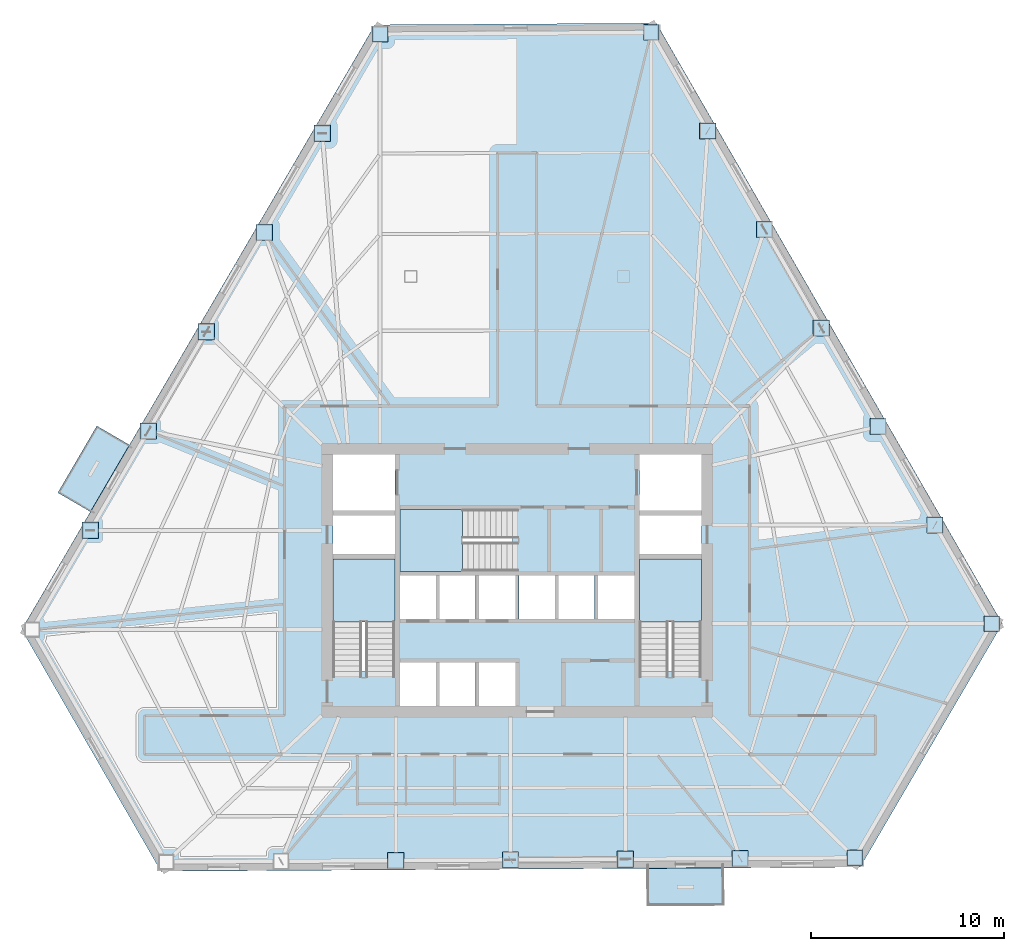
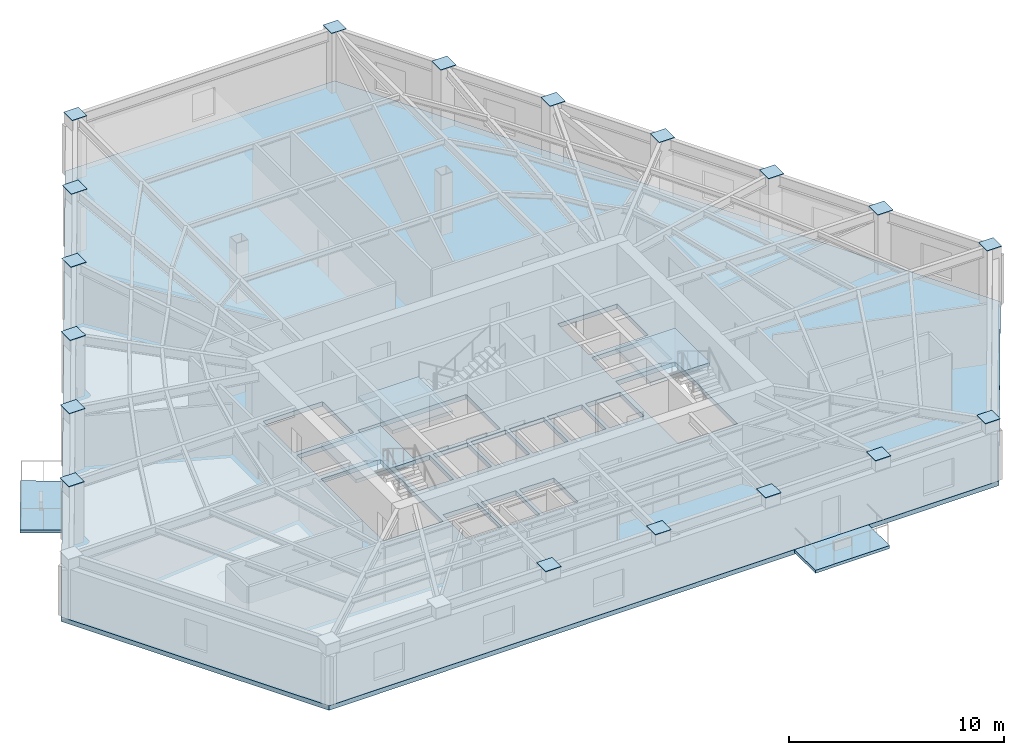
# One storey, part 3 of 14: 18 plates, 6 slabs, 3 elements without a shape of their own.
"""IFC4 building model written with IfcOpenShell, lengths in metres."""

from ifc_helpers import new_model, si_unit, direction, frame, origin, origin_2d, place, context, subcontext, project, spatial, polyline, rectangle, outline, extrude, material, layer, layer_set, type_object, element, aggregate, save


model = new_model("IFC4")

# Units and contexts
model_context = context("Model", 3, precision=1e-05, world=origin(), true_north=direction((0.0, 1.0)))
body_context = subcontext(model_context, "Body", "Model", "MODEL_VIEW")
ifc_project = project(units=[si_unit("LENGTHUNIT", "METRE"), si_unit("AREAUNIT", "SQUARE_METRE"), si_unit("VOLUMEUNIT", "CUBIC_METRE"), si_unit("PLANEANGLEUNIT", "RADIAN"), si_unit("MASSUNIT", "GRAM", prefix="KILO")], contexts=[model_context])

# Site, building, storey
site_placement = place(None, origin())
site = spatial("IfcSite", under=ifc_project, at=site_placement, CompositionType="ELEMENT")
building_placement = place(site_placement, origin())
building = spatial("IfcBuilding", under=site, at=building_placement, Name="Kavelnor Concourse Tower", CompositionType="ELEMENT")
storey_placement = place(building_placement, frame((0.0, 0.0, 71.449951171875)))
storey = spatial("IfcBuildingStorey", under=building, at=storey_placement, Name="L18", CompositionType="ELEMENT", Elevation=71.449951171875)

# Plates
ifc_material_1 = material(Name="Steel Grade 350", Category="steel")
ifc_layer_1 = layer(ifc_material_1, 0.02490234375, Name="Steel Grade 350")
ifc_layer_set_1 = layer_set([ifc_layer_1], Name="Steel Grade 350")
plate_type = type_object("IfcPlateType", Name="PL-SPLICE-FLANGE", PredefinedType="SHEET", material=ifc_layer_set_1)
plate_1_placement = place(storey_placement, frame((30.926513671875, 44.32763671875, 3.427001953125), z_axis=(0.0, 0.0, 1.0), x_axis=(1.0, 0.0, 0.0)))
element("IfcPlate", 1, at=plate_1_placement, inside=storey, type_object=plate_type, Name="L18 Column Top Cap Plate F0-B0", PredefinedType="SHEET", context=body_context, shape_type="SweptSolid", body=[
    extrude(rectangle(XDim=0.800048828125, YDim=0.800048828125, at=origin_2d()), origin(), (0.0, 0.0, 1.0), 0.02490234375),
])
for number, where, z_axis, x_axis, name in (
    (2, (27.93017578125, 39.1982421875, 3.427001953125), (0.0, 0.0, 1.0), (1.0, 0.0, 0.0), "L18 Column Top Cap Plate F0-B1"),
    (3, (24.93359375, 34.069091796875, 3.427001953125), (0.0, 0.0, 1.0), (1.0, 0.0, 0.0), "L18 Column Top Cap Plate F0-B2"),
    (4, (21.93701171875, 28.939697265625, 3.427001953125), (0.0, 0.0, 1.0), (1.0, 0.0, 0.0), "L18 Column Top Cap Plate F0-B3"),
    (5, (18.940673828125, 23.810546875, 3.427001953125), (0.0, 0.0, 1.0), (1.0, 0.0, 0.0), "L18 Column Top Cap Plate F0-B4"),
    (6, (15.944091796875, 18.681396484375, 3.427001953125), (0.0, 0.0, 1.0), (1.0, 0.0, 0.0), "L18 Column Top Cap Plate F0-B5"),
    (7, (31.731689453125, 1.611328125, 3.427001953125), (0.0, 0.0, 1.0), (1.0, 0.0, 0.0), "L18 Column Top Cap Plate F1-B2"),
    (8, (37.6630859375, 1.646728515625, 3.427001953125), (0.0, 0.0, 1.0), (1.0, 0.0, 0.0), "L18 Column Top Cap Plate F1-B3"),
    (9, (43.594482421875, 1.68212890625, 3.427001953125), (0.0, 0.0, 1.0), (1.0, 0.0, 0.0), "L18 Column Top Cap Plate F1-B4"),
    (10, (49.52587890625, 1.717529296875, 3.427001953125), (0.0, 0.0, 1.0), (1.0, 0.0, 0.0), "L18 Column Top Cap Plate F1-B5"),
):
    element("IfcPlate", number, at=place(storey_placement, frame(where, z_axis=z_axis, x_axis=x_axis)), inside=storey, type_object=plate_type, Name=name, PredefinedType="SHEET", context=body_context, shape_type="SweptSolid", body=[
        extrude(rectangle(XDim=0.840087890625, YDim=0.840087890625, at=origin_2d()), origin(), (0.0, 0.0, 1.0), 0.02490234375),
    ])
for number, where, z_axis, x_axis, name in (
    (11, (55.457275390625, 1.7529296875, 3.427001953125), (0.0, 0.0, 1.0), (1.0, 0.0, 0.0), "L18 Column Top Cap Plate F1-B6"),
    (12, (62.52880859375, 13.857666015625, 3.427001953125), (0.0, 0.0, 1.0), (1.0, 0.0, 0.0), "L18 Column Top Cap Plate F2-B0"),
):
    element("IfcPlate", number, at=place(storey_placement, frame(where, z_axis=z_axis, x_axis=x_axis)), inside=storey, type_object=plate_type, Name=name, PredefinedType="SHEET", context=body_context, shape_type="SweptSolid", body=[
        extrude(rectangle(XDim=0.800048828125, YDim=0.800048828125, at=origin_2d()), origin(), (0.0, 0.0, 1.0), 0.02490234375),
    ])
for number, where, z_axis, x_axis, name in (
    (13, (59.594482421875, 18.94970703125, 3.427001953125), (0.0, 0.0, 1.0), (1.0, 0.0, 0.0), "L18 Column Top Cap Plate F2-B1"),
    (14, (56.660400390625, 24.0419921875, 3.427001953125), (0.0, 0.0, 1.0), (1.0, 0.0, 0.0), "L18 Column Top Cap Plate F2-B2"),
    (15, (53.72607421875, 29.13427734375, 3.427001953125), (0.0, 0.0, 1.0), (1.0, 0.0, 0.0), "L18 Column Top Cap Plate F2-B3"),
    (16, (50.791748046875, 34.2265625, 3.427001953125), (0.0, 0.0, 1.0), (1.0, 0.0, 0.0), "L18 Column Top Cap Plate F2-B4"),
    (17, (47.857421875, 39.31884765625, 3.427001953125), (0.0, 0.0, 1.0), (1.0, 0.0, 0.0), "L18 Column Top Cap Plate F2-B5"),
):
    element("IfcPlate", number, at=place(storey_placement, frame(where, z_axis=z_axis, x_axis=x_axis)), inside=storey, type_object=plate_type, Name=name, PredefinedType="SHEET", context=body_context, shape_type="SweptSolid", body=[
        extrude(rectangle(XDim=0.840087890625, YDim=0.840087890625, at=origin_2d()), origin(), (0.0, 0.0, 1.0), 0.02490234375),
    ])
plate_2_placement = place(storey_placement, frame((44.92333984375, 44.4111328125, 3.427001953125), z_axis=(0.0, 0.0, 1.0), x_axis=(1.0, 0.0, 0.0)))
element("IfcPlate", 18, at=plate_2_placement, inside=storey, type_object=plate_type, Name="L18 Column Top Cap Plate F2-B6", PredefinedType="SHEET", context=body_context, shape_type="SweptSolid", body=[
    extrude(rectangle(XDim=0.800048828125, YDim=0.800048828125, at=origin_2d()), origin(), (0.0, 0.0, 1.0), 0.02490234375),
])

# Slabs
ifc_material_2 = material(Name="Concrete C40/50", Category="concrete")
ifc_layer_2 = layer(ifc_material_2, 0.169921875, Name="Concrete C40/50")
ifc_layer_set_2 = layer_set([ifc_layer_2], Name="Concrete C40/50")
slab_type_1 = type_object("IfcSlabType", Name="SLB-BALCONY-170", PredefinedType="FLOOR", material=ifc_layer_set_2)
slab_1_placement = place(storey_placement, frame((0.0, 0.0, -0.169921875)))
element("IfcSlab", 19, at=slab_1_placement, inside=storey, type_object=slab_type_1, Name="L18 Cantilevered Tree Balcony Slab 1", PredefinedType="FLOOR", context=body_context, shape_type="SweptSolid", body=[
    extrude(outline(polyline([(14.264404296875, 20.62353515625), (16.2822265625, 24.077392578125), (17.966064453125, 23.09375), (15.9482421875, 19.639892578125), (14.264404296875, 20.62353515625)])), origin(), (0.0, 0.0, 1.0), 0.169921875),
])
slab_2_placement = place(storey_placement, frame((0.0, 0.0, -0.169921875)))
element("IfcSlab", 20, at=slab_2_placement, inside=storey, type_object=slab_type_1, Name="L18 Cantilevered Tree Balcony Slab 2", PredefinedType="FLOOR", context=body_context, shape_type="SweptSolid", body=[
    extrude(outline(polyline([(48.710205078125, -0.71728515625), (44.710205078125, -0.7412109375), (44.698486328125, 1.208740234375), (48.698486328125, 1.232421875), (48.710205078125, -0.71728515625)])), origin(), (0.0, 0.0, 1.0), 0.169921875),
])

# Stair, slab
stair_type = type_object("IfcStairType", Name="STR-CORE-1500", PredefinedType="HALF_TURN_STAIR", material=ifc_material_2)
stair_1_placement = place(storey_placement, origin())
stair_1 = element("IfcStair", 21, at=stair_1_placement, inside=storey, type_object=stair_type, Name="L18 ST1", PredefinedType="HALF_TURN_STAIR")
ifc_layer_3 = layer(ifc_material_2, 0.199951171875, Name="Concrete C40/50")
ifc_layer_set_3 = layer_set([ifc_layer_3], Name="Concrete C40/50")
slab_type_2 = type_object("IfcSlabType", Name="SLB-LANDING-200", PredefinedType="LANDING", material=ifc_layer_set_3)
slab_3_placement = place(storey_placement, frame((0.0, 0.0, 1.72509765625)))
slab_3 = element("IfcSlab", 22, at=slab_3_placement, type_object=slab_type_2, Name="ST1 landing 1", PredefinedType="LANDING", context=body_context, shape_type="SweptSolid", body=[
    extrude(outline(polyline([(31.679931640625, 13.949951171875), (31.679931640625, 17.199951171875), (28.47998046875, 17.199951171875), (28.47998046875, 13.949951171875), (31.679931640625, 13.949951171875)])), origin(), (0.0, 0.0, 1.0), 0.199951171875),
])
aggregate(stair_1, [slab_3])

stair_2_placement = place(storey_placement, origin())
stair_2 = element("IfcStair", 23, at=stair_2_placement, inside=storey, type_object=stair_type, Name="L18 ST2", PredefinedType="HALF_TURN_STAIR")
slab_4_placement = place(storey_placement, frame((0.0, 0.0, 1.72509765625)))
slab_4 = element("IfcSlab", 24, at=slab_4_placement, type_object=slab_type_2, Name="ST2 landing 1", PredefinedType="LANDING", context=body_context, shape_type="SweptSolid", body=[
    extrude(outline(polyline([(47.52001953125, 13.949951171875), (47.52001953125, 17.199951171875), (44.320068359375, 17.199951171875), (44.320068359375, 13.949951171875), (47.52001953125, 13.949951171875)])), origin(), (0.0, 0.0, 1.0), 0.199951171875),
])
aggregate(stair_2, [slab_4])

stair_3_placement = place(storey_placement, origin())
stair_3 = element("IfcStair", 25, at=stair_3_placement, inside=storey, type_object=stair_type, Name="L18 ST3", PredefinedType="HALF_TURN_STAIR")
slab_5_placement = place(storey_placement, frame((0.0, 0.0, 1.72509765625)))
slab_5 = element("IfcSlab", 26, at=slab_5_placement, type_object=slab_type_2, Name="ST3 landing 1", PredefinedType="LANDING", context=body_context, shape_type="SweptSolid", body=[
    extrude(outline(polyline([(35.18994140625, 19.760009765625), (31.93994140625, 19.760009765625), (31.93994140625, 16.56005859375), (35.18994140625, 16.56005859375), (35.18994140625, 19.760009765625)])), origin(), (0.0, 0.0, 1.0), 0.199951171875),
])
aggregate(stair_3, [slab_5])

# Slab
ifc_layer_4 = layer(ifc_material_2, 0.260009765625, Name="Concrete C40/50")
ifc_layer_set_4 = layer_set([ifc_layer_4], Name="Concrete C40/50")
slab_type_3 = type_object("IfcSlabType", Name="SLB-OFFICE-260", PredefinedType="FLOOR", material=ifc_layer_set_4)
slab_6_placement = place(storey_placement, frame((0.0, 0.0, -0.260009765625)))
element("IfcSlab", 27, at=slab_6_placement, inside=storey, type_object=slab_type_3, Name="L18 Composite Structural Floor Slab", PredefinedType="FLOOR", context=body_context, shape_type="SweptSolid", body=[
    extrude(outline(polyline([(45.19970703125, 44.892822265625), (30.650146484375, 44.805908203125), (12.392822265625, 13.5537109375), (19.592529296875, 1.05908203125), (55.73388671875, 1.2744140625), (63.083740234375, 13.85595703125), (45.19970703125, 44.892822265625)]), holes=[polyline([(28.47998046875, 11.3798828125), (31.679931640625, 11.3798828125), (31.679931640625, 17.199951171875), (28.47998046875, 17.199951171875), (28.47998046875, 11.3798828125)]), polyline([(44.320068359375, 11.3798828125), (47.52001953125, 11.3798828125), (47.52001953125, 17.199951171875), (44.320068359375, 17.199951171875), (44.320068359375, 11.3798828125)]), polyline([(31.93994140625, 16.56005859375), (37.760009765625, 16.56005859375), (37.760009765625, 19.760009765625), (31.93994140625, 19.760009765625), (31.93994140625, 16.56005859375)]), polyline([(28.47998046875, 19.699951171875), (31.679931640625, 19.699951171875), (31.679931640625, 22.60009765625), (28.47998046875, 22.60009765625), (28.47998046875, 19.699951171875)]), polyline([(44.320068359375, 19.699951171875), (47.52001953125, 19.699951171875), (47.52001953125, 22.60009765625), (44.320068359375, 22.60009765625), (44.320068359375, 19.699951171875)]), polyline([(31.93994140625, 14.10009765625), (33.81005859375, 14.10009765625), (33.81005859375, 16.340087890625), (31.93994140625, 16.340087890625), (31.93994140625, 14.10009765625)]), polyline([(33.989990234375, 14.10009765625), (35.860107421875, 14.10009765625), (35.860107421875, 16.340087890625), (33.989990234375, 16.340087890625), (33.989990234375, 14.10009765625)]), polyline([(36.0400390625, 14.10009765625), (37.909912109375, 14.10009765625), (37.909912109375, 16.340087890625), (36.0400390625, 16.340087890625), (36.0400390625, 14.10009765625)]), polyline([(38.090087890625, 14.10009765625), (39.9599609375, 14.10009765625), (39.9599609375, 16.340087890625), (38.090087890625, 16.340087890625), (38.090087890625, 14.10009765625)]), polyline([(40.139892578125, 14.10009765625), (42.010009765625, 14.10009765625), (42.010009765625, 16.340087890625), (40.139892578125, 16.340087890625), (40.139892578125, 14.10009765625)]), polyline([(42.18994140625, 14.10009765625), (44.06005859375, 14.10009765625), (44.06005859375, 16.340087890625), (42.18994140625, 16.340087890625), (42.18994140625, 14.10009765625)]), polyline([(31.93994140625, 9.60009765625), (33.81005859375, 9.60009765625), (33.81005859375, 11.840087890625), (31.93994140625, 11.840087890625), (31.93994140625, 9.60009765625)]), polyline([(33.989990234375, 9.60009765625), (35.860107421875, 9.60009765625), (35.860107421875, 11.840087890625), (33.989990234375, 11.840087890625), (33.989990234375, 9.60009765625)]), polyline([(36.0400390625, 9.60009765625), (37.909912109375, 9.60009765625), (37.909912109375, 11.840087890625), (36.0400390625, 11.840087890625), (36.0400390625, 9.60009765625)]), polyline([(28.47998046875, 17.4599609375), (31.679931640625, 17.4599609375), (31.679931640625, 19.43994140625), (28.47998046875, 19.43994140625), (28.47998046875, 17.4599609375)]), polyline([(44.320068359375, 17.4599609375), (47.52001953125, 17.4599609375), (47.52001953125, 19.43994140625), (44.320068359375, 19.43994140625), (44.320068359375, 17.4599609375)])]), origin(), (0.0, 0.0, 1.0), 0.260009765625),
])

save(model, "model.ifc")
